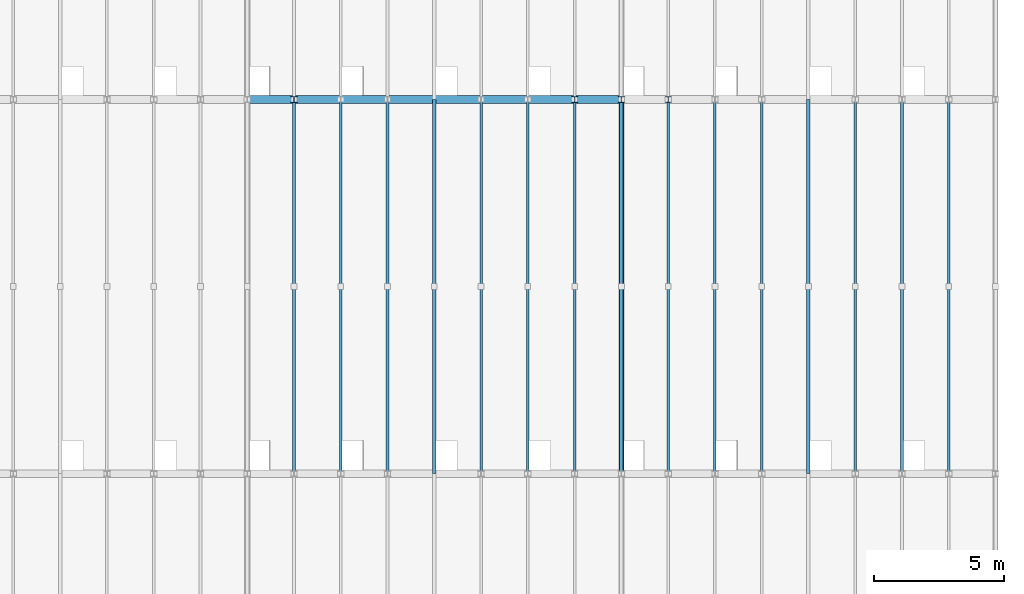
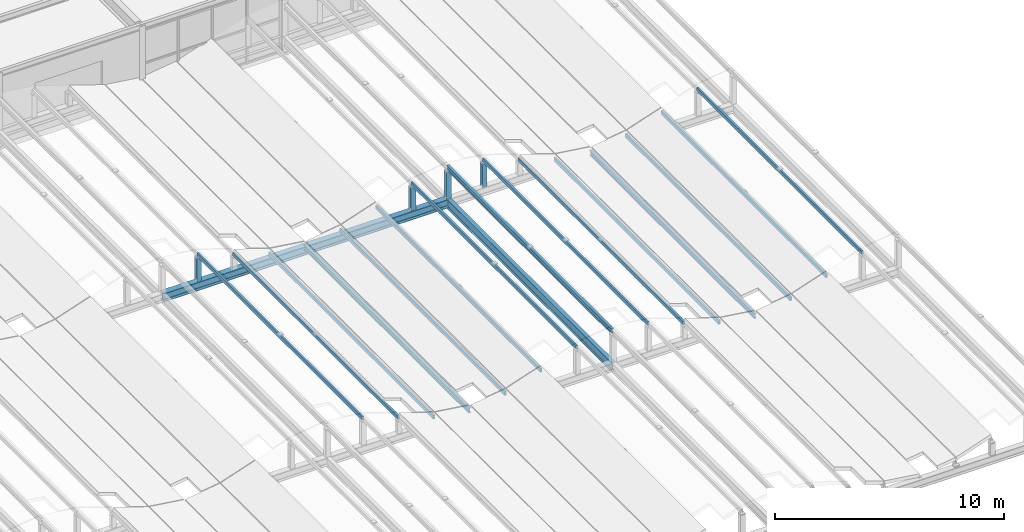
# One storey, part 31 of 83: 19 members, 2 beams.
"""IFC4 building model written with IfcOpenShell, lengths in metres."""

from ifc_helpers import new_model, si_unit, direction, frame, origin, origin_2d, place, context, subcontext, project, spatial, hollow_rectangle, i_section, extrude, material, material_profile, profile_set, type_object, element, save


model = new_model("IFC4")

# Units and contexts
model_context = context("Model", 3, precision=1e-05, world=origin(), true_north=direction((0.0, 1.0)))
body_context = subcontext(model_context, "Body", "Model", "MODEL_VIEW")
ifc_project = project(units=[si_unit("LENGTHUNIT", "METRE"), si_unit("AREAUNIT", "SQUARE_METRE"), si_unit("VOLUMEUNIT", "CUBIC_METRE"), si_unit("PLANEANGLEUNIT", "RADIAN"), si_unit("MASSUNIT", "GRAM", prefix="KILO")], contexts=[model_context])

# Site, building, storey
site_placement = place(None, origin())
site = spatial("IfcSite", under=ifc_project, at=site_placement, CompositionType="ELEMENT")
building_placement = place(site_placement, origin())
building = spatial("IfcBuilding", under=site, at=building_placement, Name="Leyfeld Transit Interchange", CompositionType="ELEMENT")
storey_placement = place(building_placement, frame((0.0, 0.0, 5.39990234375)))
storey = spatial("IfcBuildingStorey", under=building, at=storey_placement, Name="L01", CompositionType="ELEMENT", Elevation=5.39990234375)

# Beams
ifc_material = material(Name="Steel S355J2", Category="steel")
ifc_material_profile_1 = material_profile(ifc_material, i_section(OverallWidth=0.300048828125, OverallDepth=0.449951171875, WebThickness=0.013916015625, FlangeThickness=0.02587890625, FilletRadius=0.027099609375, at=origin_2d()), Name="HEB 450")
ifc_profile_set_1 = profile_set([ifc_material_profile_1], Name="Steel S355J2")
beam_type_1 = type_object("IfcBeamType", Name="BM-STL-HEB450", PredefinedType="JOIST", material=ifc_profile_set_1)
beam_1_placement = place(storey_placement, frame((158.39990234375, 28.800048828125, 0.675048828125), z_axis=(1.0, 0.0, 0.0), x_axis=(0.0, 1.0, 0.0)))
element("IfcBeam", 1, at=beam_1_placement, inside=storey, type_object=beam_type_1, Name="Bus Canopy Longitudinal Girder R3 B5", PredefinedType="JOIST", context=body_context, shape_type="SweptSolid", body=[
    extrude(i_section(OverallWidth=0.300048828125, OverallDepth=0.449951171875, WebThickness=0.013916015625, FlangeThickness=0.02587890625, FilletRadius=0.027099609375, at=origin_2d()), origin(), (0.0, 0.0, 1.0), 14.400146484375),
])
ifc_material_profile_2 = material_profile(ifc_material, i_section(OverallWidth=0.199951171875, OverallDepth=0.5, WebThickness=0.01025390625, FlangeThickness=0.01611328125, FilletRadius=0.02099609375, at=origin_2d()), Name="IPE 500")
ifc_profile_set_2 = profile_set([ifc_material_profile_2], Name="Steel S355J2")
beam_type_2 = type_object("IfcBeamType", Name="BM-STL-IPE500", PredefinedType="BEAM", material=ifc_profile_set_2)
beam_2_placement = place(storey_placement, frame((172.800048828125, 14.39990234375, 0.650146484375), z_axis=(0.0, 1.0, 0.0), x_axis=(-1.0, 0.0, 0.0)))
element("IfcBeam", 2, at=beam_2_placement, inside=storey, type_object=beam_type_2, Name="Bus Canopy Transverse Portal Girder B6 R2", PredefinedType="BEAM", context=body_context, shape_type="SweptSolid", body=[
    extrude(i_section(OverallWidth=0.199951171875, OverallDepth=0.5, WebThickness=0.01025390625, FlangeThickness=0.01611328125, FilletRadius=0.02099609375, at=origin_2d()), origin(), (0.0, 0.0, 1.0), 14.400146484375),
])

# Members
ifc_material_profile_3 = material_profile(ifc_material, i_section(OverallWidth=0.239990234375, OverallDepth=0.22998046875, WebThickness=0.007568359375, FlangeThickness=0.011962890625, FilletRadius=0.02099609375, at=origin_2d()), Name="HEA 240")
ifc_profile_set_3 = profile_set([ifc_material_profile_3], Name="Steel S355J2")
member_type_1 = type_object("IfcMemberType", Name="MEM-CHD-HEA240", PredefinedType="CHORD", material=ifc_profile_set_3)
for number, where, z_axis, x_axis, name in (
    (3, (160.199951171875, 28.800048828125, 0.860107421875), (0.0, 0.0, 1.0), (1.0, 0.0, 0.0), "Wave Canopy Riser Post 221"),
    (4, (171.0, 28.800048828125, 0.860107421875), (0.0, 0.0, 1.0), (1.0, 0.0, 0.0), "Wave Canopy Riser Post 259"),
):
    element("IfcMember", number, at=place(storey_placement, frame(where, z_axis=z_axis, x_axis=x_axis)), inside=storey, type_object=member_type_1, Name=name, PredefinedType="CHORD", context=body_context, shape_type="SweptSolid", body=[
        extrude(i_section(OverallWidth=0.239990234375, OverallDepth=0.22998046875, WebThickness=0.007568359375, FlangeThickness=0.011962890625, FilletRadius=0.02099609375, at=origin_2d()), origin(), (0.0, 0.0, 1.0), 1.2998046875),
    ])
member_1_placement = place(storey_placement, frame((172.800048828125, 28.800048828125, 0.860107421875), z_axis=(0.0, 0.0, 1.0), x_axis=(1.0, 0.0, 0.0)))
element("IfcMember", 5, at=member_1_placement, inside=storey, type_object=member_type_1, Name="Wave Canopy Riser Post 266", PredefinedType="CHORD", context=body_context, shape_type="SweptSolid", body=[
    extrude(i_section(OverallWidth=0.239990234375, OverallDepth=0.22998046875, WebThickness=0.007568359375, FlangeThickness=0.011962890625, FilletRadius=0.02099609375, at=origin_2d()), origin(), (0.0, 0.0, 1.0), 1.488037109375),
])
member_2_placement = place(storey_placement, frame((174.60009765625, 28.800048828125, 0.860107421875), z_axis=(0.0, 0.0, 1.0), x_axis=(1.0, 0.0, 0.0)))
element("IfcMember", 6, at=member_2_placement, inside=storey, type_object=member_type_1, Name="Wave Canopy Riser Post 273", PredefinedType="CHORD", context=body_context, shape_type="SweptSolid", body=[
    extrude(i_section(OverallWidth=0.239990234375, OverallDepth=0.22998046875, WebThickness=0.007568359375, FlangeThickness=0.011962890625, FilletRadius=0.02099609375, at=origin_2d()), origin(), (0.0, 0.0, 1.0), 1.2998046875),
])
ifc_material_profile_4 = material_profile(ifc_material, i_section(OverallWidth=0.135009765625, OverallDepth=0.27001953125, WebThickness=0.006591796875, FlangeThickness=0.01025390625, FilletRadius=0.014892578125, at=origin_2d()), Name="IPE 270")
ifc_profile_set_4 = profile_set([ifc_material_profile_4], Name="Steel S355J2")
member_type_2 = type_object("IfcMemberType", Name="MEM-PUR-IPE270", PredefinedType="PURLIN", material=ifc_profile_set_4)
for number, where, z_axis, x_axis, name in (
    (7, (165.60009765625, 14.39990234375, 0.792724609375), (0.0, 1.0, 0.0), (-1.0, 0.0, 0.0), "Bus Canopy Purlin 238"),
    (8, (172.800048828125, 14.39990234375, 2.498291015625), (0.0, 1.0, 0.0), (-1.0, 0.0, 0.0), "Bus Canopy Purlin 263"),
    (9, (180.0, 14.39990234375, 0.792724609375), (0.0, 1.0, 0.0), (-1.0, 0.0, 0.0), "Bus Canopy Purlin 290"),
):
    element("IfcMember", number, at=place(storey_placement, frame(where, z_axis=z_axis, x_axis=x_axis)), inside=storey, type_object=member_type_2, Name=name, PredefinedType="PURLIN", context=body_context, shape_type="SweptSolid", body=[
        extrude(i_section(OverallWidth=0.135009765625, OverallDepth=0.27001953125, WebThickness=0.006591796875, FlangeThickness=0.01025390625, FilletRadius=0.014892578125, at=origin_2d()), origin(), (0.0, 0.0, 1.0), 14.400146484375),
    ])
ifc_material_profile_5 = material_profile(ifc_material, hollow_rectangle(XDim=0.10009765625, YDim=0.199951171875, WallThickness=0.008056640625, at=origin_2d()), Name="RHS 200x100x8")
ifc_profile_set_5 = profile_set([ifc_material_profile_5], Name="Steel S355J2")
member_type_3 = type_object("IfcMemberType", Name="MEM-PUR-RHS200", PredefinedType="PURLIN", material=ifc_profile_set_5)
for number, where, z_axis, x_axis, name in (
    (10, (160.199951171875, 14.39990234375, 2.275634765625), (0.0, 1.0, 0.0), (-1.0, 0.0, 0.0), "Bus Canopy Purlin 218"),
    (11, (162.0, 14.39990234375, 1.67236328125), (0.0, 1.0, 0.0), (-1.0, 0.0, 0.0), "Bus Canopy Purlin 225"),
    (12, (163.800048828125, 14.39990234375, 1.07080078125), (0.0, 1.0, 0.0), (-1.0, 0.0, 0.0), "Bus Canopy Purlin 232"),
    (13, (167.39990234375, 14.39990234375, 1.07080078125), (0.0, 1.0, 0.0), (-1.0, 0.0, 0.0), "Bus Canopy Purlin 242"),
    (14, (169.199951171875, 14.39990234375, 1.67236328125), (0.0, 1.0, 0.0), (-1.0, 0.0, 0.0), "Bus Canopy Purlin 249"),
    (15, (171.0, 14.39990234375, 2.275634765625), (0.0, 1.0, 0.0), (-1.0, 0.0, 0.0), "Bus Canopy Purlin 256"),
    (16, (174.60009765625, 14.39990234375, 2.275634765625), (0.0, 1.0, 0.0), (-1.0, 0.0, 0.0), "Bus Canopy Purlin 270"),
    (17, (176.39990234375, 14.39990234375, 1.67236328125), (0.0, 1.0, 0.0), (-1.0, 0.0, 0.0), "Bus Canopy Purlin 277"),
    (18, (178.199951171875, 14.39990234375, 1.07080078125), (0.0, 1.0, 0.0), (-1.0, 0.0, 0.0), "Bus Canopy Purlin 284"),
    (19, (181.800048828125, 14.39990234375, 1.07080078125), (0.0, 1.0, 0.0), (-1.0, 0.0, 0.0), "Bus Canopy Purlin 294"),
    (20, (183.60009765625, 14.39990234375, 1.67236328125), (0.0, 1.0, 0.0), (-1.0, 0.0, 0.0), "Bus Canopy Purlin 301"),
    (21, (185.39990234375, 14.39990234375, 2.275634765625), (0.0, 1.0, 0.0), (-1.0, 0.0, 0.0), "Bus Canopy Purlin 308"),
):
    element("IfcMember", number, at=place(storey_placement, frame(where, z_axis=z_axis, x_axis=x_axis)), inside=storey, type_object=member_type_3, Name=name, PredefinedType="PURLIN", context=body_context, shape_type="SweptSolid", body=[
        extrude(hollow_rectangle(XDim=0.10009765625, YDim=0.199951171875, WallThickness=0.008056640625, at=origin_2d()), origin(), (0.0, 0.0, 1.0), 14.400146484375),
    ])

save(model, "model.ifc")
